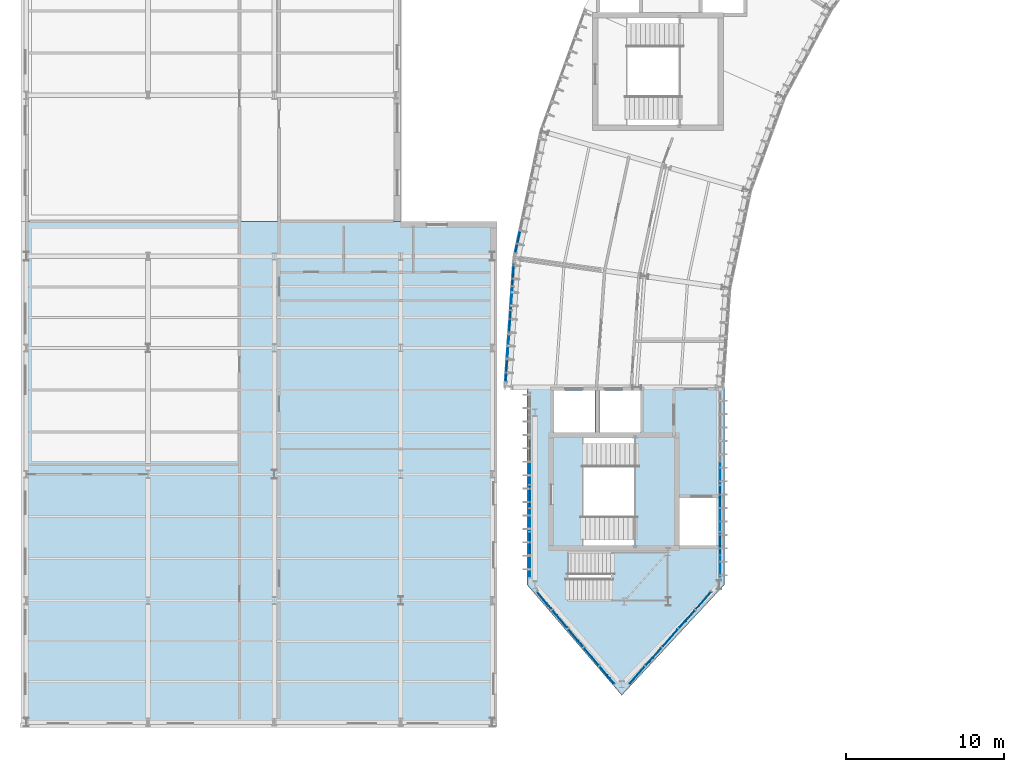
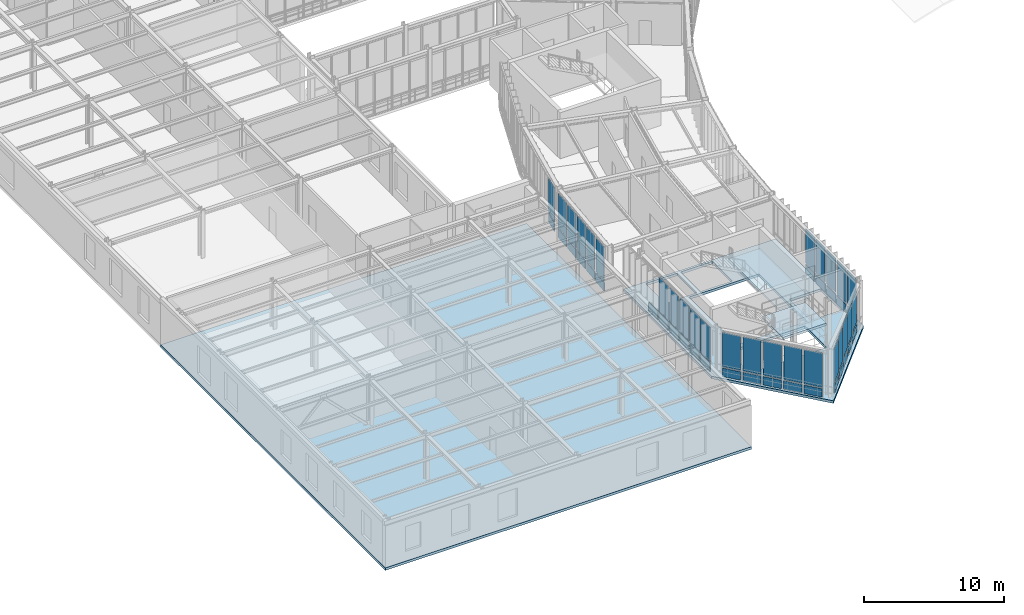
# One storey, part 25 of 57: 53 plates, 4 slabs, 8 elements without a shape of their own.
"""IFC4 building model written with IfcOpenShell, lengths in metres."""

import ifcopenshell
import ifcopenshell.guid

model = None  # the IFC model being written
_history = None  # IfcOwnerHistory: only IFC2X3 demands one
_inside = {}  # id of a spatial element -> (the spatial element, [elements in it])
_under = {}  # id of a project, library or spatial element -> (it, [spatial elements below it])
_declared = {}  # id of a project -> (the project, [libraries it declares])
_typed = {}  # id of a type object -> (the type object, [elements of that type])
_made_of = {}  # id of a material, layer set ... -> (it, [elements and type objects made of it])


def new_model(schema):
    """Start an empty IFC model of exactly this schema.

    Asked for "IFC4X3", IfcOpenShell would pick the latest addendum, in which some entities
    have other attributes; the version numbers below select the first issue.
    IFC2X3 requires an IfcOwnerHistory on every rooted entity: one is made here for all.
    """
    global model, _history
    if schema == "IFC4X3":
        model = ifcopenshell.file(schema_version=(4, 3, 0, 0))
    else:
        model = ifcopenshell.file(schema=schema)
    _inside.clear()
    _under.clear()
    _declared.clear()
    _typed.clear()
    _made_of.clear()
    _history = None
    if model.schema == "IFC2X3":
        org = make("IfcOrganization", Name="unknown")
        user = make(
            "IfcPersonAndOrganization",
            ThePerson=make("IfcPerson", FamilyName="unknown"),
            TheOrganization=org,
        )
        app = make(
            "IfcApplication",
            ApplicationDeveloper=org,
            Version="unknown",
            ApplicationFullName="unknown",
            ApplicationIdentifier="unknown",
        )
        _history = make(
            "IfcOwnerHistory",
            OwningUser=user,
            OwningApplication=app,
            ChangeAction="ADDED",
            CreationDate=0,
        )
    return model


def make(cls, **values):
    """One entity of the class cls with the attributes given. An attribute that is None is left unset."""
    return model.create_entity(
        cls, **{name: value for name, value in values.items() if value is not None}
    )


def rooted(cls, **values):
    """An entity with a GlobalId (a new one), such as an element, a storey or a relation."""
    return make(cls, GlobalId=ifcopenshell.guid.new(), OwnerHistory=_history, **values)


def si_unit(unit_type, name, prefix=None):
    """IfcSIUnit, for example si_unit("LENGTHUNIT", "METRE", prefix="MILLI")."""
    return make("IfcSIUnit", UnitType=unit_type, Prefix=prefix, Name=name)


def assignment(units):
    """IfcUnitAssignment: the units of a project."""
    return None if units is None else make("IfcUnitAssignment", Units=units)


def point(xyz):
    """IfcCartesianPoint."""
    return None if xyz is None else make("IfcCartesianPoint", Coordinates=xyz)


def direction(xyz):
    """IfcDirection."""
    return None if xyz is None else make("IfcDirection", DirectionRatios=xyz)


def frame(location, z_axis=None, x_axis=None):
    """IfcAxis2Placement3D, a coordinate frame: its origin and axes. An axis left out is left unset."""
    return make(
        "IfcAxis2Placement3D",
        Location=point(location),
        Axis=direction(z_axis),
        RefDirection=direction(x_axis),
    )


def frame_2d(location, x_axis=None):
    """IfcAxis2Placement2D, a coordinate frame in the plane: its origin and x axis."""
    return make(
        "IfcAxis2Placement2D", Location=point(location), RefDirection=direction(x_axis)
    )


def origin():
    """The frame at (0, 0, 0) with its axes left unset."""
    return frame((0.0, 0.0, 0.0))


def origin_2d():
    """The frame at (0, 0) in the plane with its x axis left unset."""
    return frame_2d((0.0, 0.0))


def place(relative_to, where):
    """IfcLocalPlacement: puts the frame where relative to a parent placement (None: the world)."""
    return make(
        "IfcLocalPlacement", PlacementRelTo=relative_to, RelativePlacement=where
    )


def context(
    kind, dimensions, precision=None, world=None, true_north=None, identifier=None
):
    """IfcGeometricRepresentationContext, for example the 3D "Model" context."""
    return make(
        "IfcGeometricRepresentationContext",
        ContextIdentifier=identifier,
        ContextType=kind,
        CoordinateSpaceDimension=dimensions,
        Precision=precision,
        WorldCoordinateSystem=world,
        TrueNorth=true_north,
    )


def subcontext(parent, identifier, kind, view, scale=None):
    """IfcGeometricRepresentationSubContext, for example "Body" below "Model"."""
    return make(
        "IfcGeometricRepresentationSubContext",
        ContextIdentifier=identifier,
        ContextType=kind,
        ParentContext=parent,
        TargetScale=scale,
        TargetView=view,
    )


def project(units=None, contexts=None):
    """IfcProject with its units and contexts."""
    return rooted(
        "IfcProject",
        Name="project",
        RepresentationContexts=contexts,
        UnitsInContext=assignment(units),
    )


def spatial(cls, under=None, at=None, **own):
    """A site, building, storey or space (cls), placed at a placement, below another one or the project."""
    s = rooted(cls, ObjectPlacement=at, **own)
    if under is not None:
        _under.setdefault(under.id(), (under, []))[1].append(s)
    return s


def polyline(points):
    """IfcPolyline through the points."""
    return make("IfcPolyline", Points=[point(p) for p in points])


def profile(cls, at=None, kind="AREA", **sizes):
    """A parametric profile (cls). Its sizes go by their IFC names, for example OverallWidth=200.0."""
    return make(cls, ProfileType=kind, Position=at, **sizes)


def rectangle(**sizes):
    """IfcRectangleProfileDef."""
    return profile("IfcRectangleProfileDef", **sizes)


def outline(outer, holes=None, kind="AREA"):
    """IfcArbitraryClosedProfileDef: a profile drawn as a closed curve; with holes, ...WithVoids."""
    if holes is None:
        return make("IfcArbitraryClosedProfileDef", ProfileType=kind, OuterCurve=outer)
    return make(
        "IfcArbitraryProfileDefWithVoids",
        ProfileType=kind,
        OuterCurve=outer,
        InnerCurves=holes,
    )


def extrude(swept, where, along, depth):
    """IfcExtrudedAreaSolid: the profile swept, set in the frame where, extruded along a direction by depth."""
    return make(
        "IfcExtrudedAreaSolid",
        SweptArea=swept,
        Position=where,
        ExtrudedDirection=direction(along),
        Depth=depth,
    )


def shape(context_of_items, identifier, shape_type, items):
    """IfcShapeRepresentation: the items that make up one representation, for example the "Body"."""
    return make(
        "IfcShapeRepresentation",
        ContextOfItems=context_of_items,
        RepresentationIdentifier=identifier,
        RepresentationType=shape_type,
        Items=items,
    )


def material(Name=None, Category=None):
    """IfcMaterial."""
    return make("IfcMaterial", Name=Name, Category=Category)


def layer(
    of_material, thickness, ventilated=None, Name=None, Category=None, Priority=None
):
    """IfcMaterialLayer: one layer of a wall or slab, of a material (None: an air gap)."""
    return make(
        "IfcMaterialLayer",
        Material=of_material,
        LayerThickness=thickness,
        IsVentilated=ventilated,
        Name=Name,
        Category=Category,
        Priority=Priority,
    )


def layer_set(layers, Name=None):
    """IfcMaterialLayerSet."""
    return make("IfcMaterialLayerSet", MaterialLayers=layers, LayerSetName=Name)


def made_of(thing, what):
    """Note that an element or type object is made of a material, layer set ...; save() writes the relation."""
    if what is not None:
        _made_of.setdefault(what.id(), (what, []))[1].append(thing)
    return thing


def type_object(cls, material=None, **own):
    """A type object (cls), such as IfcWallType, which elements share."""
    return made_of(rooted(cls, **own), material)


def element(
    cls,
    number,
    at=None,
    inside=None,
    cuts=None,
    type_object=None,
    material=None,
    context=None,
    identifier="Body",
    shape_type=None,
    held_by="IfcProductDefinitionShape",
    body=None,
    shapes=None,
    **own,
):
    """One element of the class cls, such as IfcWall. Its Tag is "e" and its number.

    at: its placement. inside: the storey or other place that contains it. cuts: it is an
    opening in that element (IfcRelVoidsElement). A single representation is given by context,
    identifier, shape_type and body (its items); several are given by shapes. held_by: the class
    of the entity that holds the representations. save() writes the other relations.
    """
    e = rooted(cls, Tag="e%d" % number, ObjectPlacement=at, **own)
    if body is not None:
        shapes = [shape(context, identifier, shape_type, body)]
    if shapes is not None:
        e.Representation = make(held_by, Representations=shapes)
    if inside is not None:
        _inside.setdefault(inside.id(), (inside, []))[1].append(e)
    if cuts is not None:
        rooted(
            "IfcRelVoidsElement", RelatingBuildingElement=cuts, RelatedOpeningElement=e
        )
    if type_object is not None:
        _typed.setdefault(type_object.id(), (type_object, []))[1].append(e)
    return made_of(e, material)


def aggregate(whole, parts):
    """IfcRelAggregates: a whole, such as a stair, and the parts it consists of."""
    return rooted("IfcRelAggregates", RelatingObject=whole, RelatedObjects=parts)


def save(model, path):
    """Write the relations noted so far, then the file.

    IfcRelAggregates (storeys below a building ...), IfcRelContainedInSpatialStructure (elements
    in a storey), IfcRelDefinesByType, IfcRelAssociatesMaterial and IfcRelDeclares: one each for
    every whole, place, type object, material and project.
    """
    for whole, parts in _under.values():
        aggregate(whole, parts)
    for where, things in _inside.values():
        rooted(
            "IfcRelContainedInSpatialStructure",
            RelatedElements=things,
            RelatingStructure=where,
        )
    for kind, things in _typed.values():
        rooted("IfcRelDefinesByType", RelatedObjects=things, RelatingType=kind)
    for what, things in _made_of.values():
        rooted("IfcRelAssociatesMaterial", RelatedObjects=things, RelatingMaterial=what)
    for by, libraries in _declared.values():
        rooted("IfcRelDeclares", RelatingContext=by, RelatedDefinitions=libraries)
    model.write(path)


model = new_model("IFC4")

# Units and contexts
model_context = context("Model", 3, precision=1e-05, world=origin(), true_north=direction((0.0, 1.0)))
body_context = subcontext(model_context, "Body", "Model", "MODEL_VIEW")
ifc_project = project(units=[si_unit("LENGTHUNIT", "METRE"), si_unit("AREAUNIT", "SQUARE_METRE"), si_unit("VOLUMEUNIT", "CUBIC_METRE"), si_unit("PLANEANGLEUNIT", "RADIAN"), si_unit("MASSUNIT", "GRAM", prefix="KILO"), si_unit("THERMODYNAMICTEMPERATUREUNIT", "KELVIN"), si_unit("POWERUNIT", "WATT")], contexts=[model_context])

# Site, building, storey
site_placement = place(None, origin())
site = spatial("IfcSite", under=ifc_project, at=site_placement, CompositionType="ELEMENT")
building_placement = place(site_placement, origin())
building = spatial("IfcBuilding", under=site, at=building_placement, Name="Solvatero Civic Police Headquarters", CompositionType="ELEMENT")
storey_placement = place(building_placement, frame((0.0, 0.0, 9.300048828125)))
storey = spatial("IfcBuildingStorey", under=building, at=storey_placement, Name="L02", CompositionType="ELEMENT", Elevation=9.300048828125)

# Curtain wall, plates
ifc_material_1 = material(Name="Anodized Bronze Aluminium", Category="aluminium")
ifc_layer_1 = layer(ifc_material_1, 0.179931640625)
ifc_layer_set_1 = layer_set([ifc_layer_1], Name="Anodized Bronze Aluminium")
curtain_wall_type_1 = type_object("IfcCurtainWallType", Name="CW-ARC-OUT", PredefinedType="USERDEFINED", material=ifc_layer_set_1)
curtain_wall_1_placement = place(storey_placement, origin())
curtain_wall_1 = element("IfcCurtainWall", 1, at=curtain_wall_1_placement, inside=storey, type_object=curtain_wall_type_1, Name="Curtain Wall CW-R2-L02-ARC-OUT-B12", ObjectType="UNITISED", PredefinedType="USERDEFINED")
ifc_material_2 = material(Name="Triple Low-E Laminated Glass", Category="glass")
ifc_layer_2 = layer(ifc_material_2, 0.0380859375)
ifc_layer_set_2 = layer_set([ifc_layer_2], Name="Triple Low-E Laminated Glass")
plate_type_1 = type_object("IfcPlateType", Name="CWP-GLZ-38", PredefinedType="CURTAIN_PANEL", material=ifc_layer_set_2)
plate_1_placement = place(storey_placement, frame((35.51416015625, 31.6376953125, 0.91015625), z_axis=(0.0, 0.0, 1.0), x_axis=(-0.069756473744, -0.99756405026, 0.0)))
plate_1 = element("IfcPlate", 2, at=plate_1_placement, type_object=plate_type_1, Name="CW-R2-L02-ARC-OUT-B12 Vision Glazing 2", PredefinedType="CURTAIN_PANEL", context=body_context, shape_type="SweptSolid", body=[
    extrude(rectangle(XDim=1.347412109375, YDim=0.0380859375, at=origin_2d()), origin(), (0.0, 0.0, 1.0), 2.969970703125),
])
plate_2_placement = place(storey_placement, frame((35.301025390625, 28.5908203125, 0.91015625), z_axis=(0.0, 0.0, 1.0), x_axis=(-0.069756473744, -0.99756405026, 0.0)))
plate_2 = element("IfcPlate", 3, at=plate_2_placement, type_object=plate_type_1, Name="CW-R2-L02-ARC-OUT-B12 Vision Glazing 4", PredefinedType="CURTAIN_PANEL", context=body_context, shape_type="SweptSolid", body=[
    extrude(rectangle(XDim=1.347412109375, YDim=0.0380859375, at=origin_2d()), origin(), (0.0, 0.0, 1.0), 2.969970703125),
])

ifc_layer_3 = layer(ifc_material_1, 0.179931640625)
ifc_layer_set_3 = layer_set([ifc_layer_3], Name="Anodized Bronze Aluminium")
curtain_wall_type_2 = type_object("IfcCurtainWallType", Name="CW-PROW-GLZ", PredefinedType="USERDEFINED", material=ifc_layer_set_3)
curtain_wall_2_placement = place(storey_placement, origin())
curtain_wall_2 = element("IfcCurtainWall", 4, at=curtain_wall_2_placement, inside=storey, type_object=curtain_wall_type_2, Name="Curtain Wall CW-R2-L02-PROW-W", ObjectType="UNITISED", PredefinedType="USERDEFINED")
plate_3_placement = place(storey_placement, frame((36.679931640625, 20.564453125, 0.91015625), z_axis=(0.0, 0.0, 1.0), x_axis=(0.0, -1.0, 0.0)))
plate_3 = element("IfcPlate", 5, at=plate_3_placement, type_object=plate_type_1, Name="CW-R2-L02-PROW-W Vision Glazing 4", PredefinedType="CURTAIN_PANEL", context=body_context, shape_type="SweptSolid", body=[
    extrude(rectangle(XDim=1.298828125, YDim=0.0380859375, at=origin_2d()), origin(), (0.0, 0.0, 1.0), 2.969970703125),
])
plate_4_placement = place(storey_placement, frame((36.679931640625, 17.60693359375, 0.91015625), z_axis=(0.0, 0.0, 1.0), x_axis=(0.0, -1.0, 0.0)))
plate_4 = element("IfcPlate", 6, at=plate_4_placement, type_object=plate_type_1, Name="CW-R2-L02-PROW-W Vision Glazing 6", PredefinedType="CURTAIN_PANEL", context=body_context, shape_type="SweptSolid", body=[
    extrude(rectangle(XDim=1.298828125, YDim=0.0380859375, at=origin_2d()), origin(), (0.0, 0.0, 1.0), 2.969970703125),
])
plate_5_placement = place(storey_placement, frame((36.679931640625, 14.6494140625, 0.91015625), z_axis=(0.0, 0.0, 1.0), x_axis=(0.0, -1.0, 0.0)))
plate_5 = element("IfcPlate", 7, at=plate_5_placement, type_object=plate_type_1, Name="CW-R2-L02-PROW-W Vision Glazing 8", PredefinedType="CURTAIN_PANEL", context=body_context, shape_type="SweptSolid", body=[
    extrude(rectangle(XDim=1.298828125, YDim=0.0380859375, at=origin_2d()), origin(), (0.0, 0.0, 1.0), 2.969970703125),
])

curtain_wall_3_placement = place(storey_placement, origin())
curtain_wall_3 = element("IfcCurtainWall", 8, at=curtain_wall_3_placement, inside=storey, type_object=curtain_wall_type_2, Name="Curtain Wall CW-R2-L02-PROW-E", ObjectType="UNITISED", PredefinedType="USERDEFINED")
plate_6_placement = place(storey_placement, frame((48.719970703125, 14.648193359375, 0.91015625), z_axis=(0.0, 0.0, 1.0), x_axis=(0.0, 1.0, 0.0)))
plate_6 = element("IfcPlate", 9, at=plate_6_placement, type_object=plate_type_1, Name="CW-R2-L02-PROW-E Vision Glazing 1", PredefinedType="CURTAIN_PANEL", context=body_context, shape_type="SweptSolid", body=[
    extrude(rectangle(XDim=1.29638671875, YDim=0.0380859375, at=origin_2d()), origin(), (0.0, 0.0, 1.0), 2.969970703125),
])
plate_7_placement = place(storey_placement, frame((48.719970703125, 17.600830078125, 0.91015625), z_axis=(0.0, 0.0, 1.0), x_axis=(0.0, 1.0, 0.0)))
plate_7 = element("IfcPlate", 10, at=plate_7_placement, type_object=plate_type_1, Name="CW-R2-L02-PROW-E Vision Glazing 3", PredefinedType="CURTAIN_PANEL", context=body_context, shape_type="SweptSolid", body=[
    extrude(rectangle(XDim=1.29638671875, YDim=0.0380859375, at=origin_2d()), origin(), (0.0, 0.0, 1.0), 2.969970703125),
])
plate_8_placement = place(storey_placement, frame((48.719970703125, 20.5537109375, 0.91015625), z_axis=(0.0, 0.0, 1.0), x_axis=(0.0, 1.0, 0.0)))
plate_8 = element("IfcPlate", 11, at=plate_8_placement, type_object=plate_type_1, Name="CW-R2-L02-PROW-E Vision Glazing 5", PredefinedType="CURTAIN_PANEL", context=body_context, shape_type="SweptSolid", body=[
    extrude(rectangle(XDim=1.29638671875, YDim=0.0380859375, at=origin_2d()), origin(), (0.0, 0.0, 1.0), 2.969970703125),
])

curtain_wall_4_placement = place(storey_placement, origin())
curtain_wall_4 = element("IfcCurtainWall", 12, at=curtain_wall_4_placement, inside=storey, type_object=curtain_wall_type_2, Name="Curtain Wall CW-R2-L02-PROW-SW", ObjectType="UNITISED", PredefinedType="USERDEFINED")
plate_9_placement = place(storey_placement, frame((38.58349609375, 11.324951171875, 0.91015625), z_axis=(0.0, 0.0, 1.0), x_axis=(0.643282165541, -0.765629189293, 0.0)))
plate_9 = element("IfcPlate", 13, at=plate_9_placement, type_object=plate_type_1, Name="CW-R2-L02-PROW-SW Vision Glazing 2", PredefinedType="CURTAIN_PANEL", context=body_context, shape_type="SweptSolid", body=[
    extrude(rectangle(XDim=1.369140625, YDim=0.0380859375, at=origin_2d()), origin(), (0.0, 0.0, 1.0), 2.969970703125),
])
plate_10_placement = place(storey_placement, frame((40.576416015625, 8.952880859375, 0.91015625), z_axis=(0.0, 0.0, 1.0), x_axis=(0.643282165541, -0.765629189293, 0.0)))
plate_10 = element("IfcPlate", 14, at=plate_10_placement, type_object=plate_type_1, Name="CW-R2-L02-PROW-SW Vision Glazing 4", PredefinedType="CURTAIN_PANEL", context=body_context, shape_type="SweptSolid", body=[
    extrude(rectangle(XDim=1.369140625, YDim=0.0380859375, at=origin_2d()), origin(), (0.0, 0.0, 1.0), 2.969970703125),
])

curtain_wall_5_placement = place(storey_placement, origin())
curtain_wall_5 = element("IfcCurtainWall", 15, at=curtain_wall_5_placement, inside=storey, type_object=curtain_wall_type_2, Name="Curtain Wall CW-R2-L02-PROW-SE", ObjectType="UNITISED", PredefinedType="USERDEFINED")
plate_11_placement = place(storey_placement, frame((43.45361328125, 7.758544921875, 0.91015625), z_axis=(0.0, 0.0, 1.0), x_axis=(0.664669821698, 0.74713722175, 0.0)))
plate_11 = element("IfcPlate", 16, at=plate_11_placement, type_object=plate_type_1, Name="CW-R2-L02-PROW-SE Vision Glazing 1", PredefinedType="CURTAIN_PANEL", context=body_context, shape_type="SweptSolid", body=[
    extrude(rectangle(XDim=1.410400390625, YDim=0.0380859375, at=origin_2d()), origin(), (0.0, 0.0, 1.0), 2.969970703125),
])
plate_12_placement = place(storey_placement, frame((45.567626953125, 10.134765625, 0.91015625), z_axis=(0.0, 0.0, 1.0), x_axis=(0.664669821698, 0.74713722175, 0.0)))
plate_12 = element("IfcPlate", 17, at=plate_12_placement, type_object=plate_type_1, Name="CW-R2-L02-PROW-SE Vision Glazing 3", PredefinedType="CURTAIN_PANEL", context=body_context, shape_type="SweptSolid", body=[
    extrude(rectangle(XDim=1.410400390625, YDim=0.0380859375, at=origin_2d()), origin(), (0.0, 0.0, 1.0), 2.969970703125),
])
plate_13_placement = place(storey_placement, frame((47.681640625, 12.510986328125, 0.91015625), z_axis=(0.0, 0.0, 1.0), x_axis=(0.664669821698, 0.74713722175, 0.0)))
plate_13 = element("IfcPlate", 18, at=plate_13_placement, type_object=plate_type_1, Name="CW-R2-L02-PROW-SE Vision Glazing 5", PredefinedType="CURTAIN_PANEL", context=body_context, shape_type="SweptSolid", body=[
    extrude(rectangle(XDim=1.410400390625, YDim=0.0380859375, at=origin_2d()), origin(), (0.0, 0.0, 1.0), 2.969970703125),
])

# Curtain wall, plate
curtain_wall_6_placement = place(storey_placement, origin())
curtain_wall_6 = element("IfcCurtainWall", 19, at=curtain_wall_6_placement, inside=storey, type_object=curtain_wall_type_1, Name="Curtain Wall CW-R2-L02-ARC-OUT-B11", ObjectType="UNITISED", PredefinedType="USERDEFINED")
ifc_material_3 = material(Name="Acoustic Ballistic Laminated Glass", Category="glass")
ifc_layer_4 = layer(ifc_material_3, 0.0439453125)
ifc_layer_set_4 = layer_set([ifc_layer_4], Name="Acoustic Ballistic Laminated Glass")
plate_type_2 = type_object("IfcPlateType", Name="CWP-GLZ-44", PredefinedType="CURTAIN_PANEL", material=ifc_layer_set_4)
plate_14_placement = place(storey_placement, frame((35.90869140625, 35.208740234375, 0.91015625), z_axis=(0.0, 0.0, 1.0), x_axis=(-0.207911690818, -0.978147600734, 0.0)))
plate_14 = element("IfcPlate", 20, at=plate_14_placement, type_object=plate_type_2, Name="CW-R2-L02-ARC-OUT-B11 Vision Glazing 5", PredefinedType="CURTAIN_PANEL", context=body_context, shape_type="SweptSolid", body=[
    extrude(rectangle(XDim=1.349609375, YDim=0.0439453125, at=origin_2d()), origin(), (0.0, 0.0, 1.0), 2.969970703125),
])

# Plate
plate_15_placement = place(storey_placement, frame((35.62060546875, 33.161376953125, 0.91015625), z_axis=(0.0, 0.0, 1.0), x_axis=(-0.069756473744, -0.99756405026, 0.0)))
plate_15 = element("IfcPlate", 21, at=plate_15_placement, type_object=plate_type_2, Name="CW-R2-L02-ARC-OUT-B12 Vision Glazing 1", PredefinedType="CURTAIN_PANEL", context=body_context, shape_type="SweptSolid", body=[
    extrude(rectangle(XDim=1.347412109375, YDim=0.0439453125, at=origin_2d()), origin(), (0.0, 0.0, 1.0), 2.969970703125),
])

plate_16_placement = place(storey_placement, frame((35.40771484375, 30.1142578125, 0.91015625), z_axis=(0.0, 0.0, 1.0), x_axis=(-0.069756473744, -0.99756405026, 0.0)))
plate_16 = element("IfcPlate", 22, at=plate_16_placement, type_object=plate_type_2, Name="CW-R2-L02-ARC-OUT-B12 Vision Glazing 3", PredefinedType="CURTAIN_PANEL", context=body_context, shape_type="SweptSolid", body=[
    extrude(rectangle(XDim=1.347412109375, YDim=0.0439453125, at=origin_2d()), origin(), (0.0, 0.0, 1.0), 2.969970703125),
])

plate_17_placement = place(storey_placement, frame((35.194580078125, 27.067138671875, 0.91015625), z_axis=(0.0, 0.0, 1.0), x_axis=(-0.069756473744, -0.99756405026, 0.0)))
plate_17 = element("IfcPlate", 23, at=plate_17_placement, type_object=plate_type_2, Name="CW-R2-L02-ARC-OUT-B12 Vision Glazing 5", PredefinedType="CURTAIN_PANEL", context=body_context, shape_type="SweptSolid", body=[
    extrude(rectangle(XDim=1.347412109375, YDim=0.0439453125, at=origin_2d()), origin(), (0.0, 0.0, 1.0), 2.969970703125),
])

plate_18_placement = place(storey_placement, frame((36.679931640625, 19.085693359375, 0.91015625), z_axis=(0.0, 0.0, 1.0), x_axis=(0.0, -1.0, 0.0)))
plate_18 = element("IfcPlate", 24, at=plate_18_placement, type_object=plate_type_2, Name="CW-R2-L02-PROW-W Vision Glazing 5", PredefinedType="CURTAIN_PANEL", context=body_context, shape_type="SweptSolid", body=[
    extrude(rectangle(XDim=1.298828125, YDim=0.0439453125, at=origin_2d()), origin(), (0.0, 0.0, 1.0), 2.969970703125),
])

plate_19_placement = place(storey_placement, frame((36.679931640625, 16.128173828125, 0.91015625), z_axis=(0.0, 0.0, 1.0), x_axis=(0.0, -1.0, 0.0)))
plate_19 = element("IfcPlate", 25, at=plate_19_placement, type_object=plate_type_2, Name="CW-R2-L02-PROW-W Vision Glazing 7", PredefinedType="CURTAIN_PANEL", context=body_context, shape_type="SweptSolid", body=[
    extrude(rectangle(XDim=1.298828125, YDim=0.0439453125, at=origin_2d()), origin(), (0.0, 0.0, 1.0), 2.969970703125),
])

plate_20_placement = place(storey_placement, frame((48.719970703125, 16.12451171875, 0.91015625), z_axis=(0.0, 0.0, 1.0), x_axis=(0.0, 1.0, 0.0)))
plate_20 = element("IfcPlate", 26, at=plate_20_placement, type_object=plate_type_2, Name="CW-R2-L02-PROW-E Vision Glazing 2", PredefinedType="CURTAIN_PANEL", context=body_context, shape_type="SweptSolid", body=[
    extrude(rectangle(XDim=1.29638671875, YDim=0.0439453125, at=origin_2d()), origin(), (0.0, 0.0, 1.0), 2.969970703125),
])

plate_21_placement = place(storey_placement, frame((48.719970703125, 19.077392578125, 0.91015625), z_axis=(0.0, 0.0, 1.0), x_axis=(0.0, 1.0, 0.0)))
plate_21 = element("IfcPlate", 27, at=plate_21_placement, type_object=plate_type_2, Name="CW-R2-L02-PROW-E Vision Glazing 4", PredefinedType="CURTAIN_PANEL", context=body_context, shape_type="SweptSolid", body=[
    extrude(rectangle(XDim=1.29638671875, YDim=0.0439453125, at=origin_2d()), origin(), (0.0, 0.0, 1.0), 2.969970703125),
])

plate_22_placement = place(storey_placement, frame((37.5869140625, 12.510986328125, 0.91015625), z_axis=(0.0, 0.0, 1.0), x_axis=(0.643282165541, -0.765629189293, 0.0)))
plate_22 = element("IfcPlate", 28, at=plate_22_placement, type_object=plate_type_2, Name="CW-R2-L02-PROW-SW Vision Glazing 1", PredefinedType="CURTAIN_PANEL", context=body_context, shape_type="SweptSolid", body=[
    extrude(rectangle(XDim=1.369140625, YDim=0.0439453125, at=origin_2d()), origin(), (0.0, 0.0, 1.0), 2.969970703125),
])

plate_23_placement = place(storey_placement, frame((39.579833984375, 10.138916015625, 0.91015625), z_axis=(0.0, 0.0, 1.0), x_axis=(0.643282165541, -0.765629189293, 0.0)))
plate_23 = element("IfcPlate", 29, at=plate_23_placement, type_object=plate_type_2, Name="CW-R2-L02-PROW-SW Vision Glazing 3", PredefinedType="CURTAIN_PANEL", context=body_context, shape_type="SweptSolid", body=[
    extrude(rectangle(XDim=1.369140625, YDim=0.0439453125, at=origin_2d()), origin(), (0.0, 0.0, 1.0), 2.969970703125),
])

plate_24_placement = place(storey_placement, frame((41.572998046875, 7.766845703125, 0.91015625), z_axis=(0.0, 0.0, 1.0), x_axis=(0.643282165541, -0.765629189293, 0.0)))
plate_24 = element("IfcPlate", 30, at=plate_24_placement, type_object=plate_type_2, Name="CW-R2-L02-PROW-SW Vision Glazing 5", PredefinedType="CURTAIN_PANEL", context=body_context, shape_type="SweptSolid", body=[
    extrude(rectangle(XDim=1.369140625, YDim=0.0439453125, at=origin_2d()), origin(), (0.0, 0.0, 1.0), 2.969970703125),
])

plate_25_placement = place(storey_placement, frame((44.510498046875, 8.946533203125, 0.91015625), z_axis=(0.0, 0.0, 1.0), x_axis=(0.664669821698, 0.74713722175, 0.0)))
plate_25 = element("IfcPlate", 31, at=plate_25_placement, type_object=plate_type_2, Name="CW-R2-L02-PROW-SE Vision Glazing 2", PredefinedType="CURTAIN_PANEL", context=body_context, shape_type="SweptSolid", body=[
    extrude(rectangle(XDim=1.410400390625, YDim=0.0439453125, at=origin_2d()), origin(), (0.0, 0.0, 1.0), 2.969970703125),
])

plate_26_placement = place(storey_placement, frame((46.62451171875, 11.322998046875, 0.91015625), z_axis=(0.0, 0.0, 1.0), x_axis=(0.664669821698, 0.74713722175, 0.0)))
plate_26 = element("IfcPlate", 32, at=plate_26_placement, type_object=plate_type_2, Name="CW-R2-L02-PROW-SE Vision Glazing 4", PredefinedType="CURTAIN_PANEL", context=body_context, shape_type="SweptSolid", body=[
    extrude(rectangle(XDim=1.410400390625, YDim=0.0439453125, at=origin_2d()), origin(), (0.0, 0.0, 1.0), 2.969970703125),
])

ifc_material_4 = material(Name="Insulated Bronze Aluminium Spandrel", Category="aluminium")
ifc_layer_5 = layer(ifc_material_4, 0.06005859375)
ifc_layer_set_5 = layer_set([ifc_layer_5], Name="Insulated Bronze Aluminium Spandrel")
plate_type_3 = type_object("IfcPlateType", Name="CWP-SPN-60", PredefinedType="CURTAIN_PANEL", material=ifc_layer_set_5)
plate_27_placement = place(storey_placement, frame((35.51416015625, 31.6376953125, 0.06005859375), z_axis=(0.0, 0.0, 1.0), x_axis=(-0.069756473744, -0.99756405026, 0.0)))
plate_27 = element("IfcPlate", 33, at=plate_27_placement, type_object=plate_type_3, Name="CW-R2-L02-ARC-OUT-B12 Spandrel Panel 2", PredefinedType="CURTAIN_PANEL", context=body_context, shape_type="SweptSolid", body=[
    extrude(rectangle(XDim=1.347412109375, YDim=0.06005859375, at=origin_2d()), origin(), (0.0, 0.0, 1.0), 0.72998046875),
])

plate_28_placement = place(storey_placement, frame((35.301025390625, 28.5908203125, 0.06005859375), z_axis=(0.0, 0.0, 1.0), x_axis=(-0.069756473744, -0.99756405026, 0.0)))
plate_28 = element("IfcPlate", 34, at=plate_28_placement, type_object=plate_type_3, Name="CW-R2-L02-ARC-OUT-B12 Spandrel Panel 4", PredefinedType="CURTAIN_PANEL", context=body_context, shape_type="SweptSolid", body=[
    extrude(rectangle(XDim=1.347412109375, YDim=0.06005859375, at=origin_2d()), origin(), (0.0, 0.0, 1.0), 0.72998046875),
])

plate_29_placement = place(storey_placement, frame((36.679931640625, 20.564453125, 0.06005859375), z_axis=(0.0, 0.0, 1.0), x_axis=(0.0, -1.0, 0.0)))
plate_29 = element("IfcPlate", 35, at=plate_29_placement, type_object=plate_type_3, Name="CW-R2-L02-PROW-W Spandrel Panel 4", PredefinedType="CURTAIN_PANEL", context=body_context, shape_type="SweptSolid", body=[
    extrude(rectangle(XDim=1.298828125, YDim=0.06005859375, at=origin_2d()), origin(), (0.0, 0.0, 1.0), 0.72998046875),
])

plate_30_placement = place(storey_placement, frame((36.679931640625, 17.60693359375, 0.06005859375), z_axis=(0.0, 0.0, 1.0), x_axis=(0.0, -1.0, 0.0)))
plate_30 = element("IfcPlate", 36, at=plate_30_placement, type_object=plate_type_3, Name="CW-R2-L02-PROW-W Spandrel Panel 6", PredefinedType="CURTAIN_PANEL", context=body_context, shape_type="SweptSolid", body=[
    extrude(rectangle(XDim=1.298828125, YDim=0.06005859375, at=origin_2d()), origin(), (0.0, 0.0, 1.0), 0.72998046875),
])

plate_31_placement = place(storey_placement, frame((36.679931640625, 14.6494140625, 0.06005859375), z_axis=(0.0, 0.0, 1.0), x_axis=(0.0, -1.0, 0.0)))
plate_31 = element("IfcPlate", 37, at=plate_31_placement, type_object=plate_type_3, Name="CW-R2-L02-PROW-W Spandrel Panel 8", PredefinedType="CURTAIN_PANEL", context=body_context, shape_type="SweptSolid", body=[
    extrude(rectangle(XDim=1.298828125, YDim=0.06005859375, at=origin_2d()), origin(), (0.0, 0.0, 1.0), 0.72998046875),
])

plate_32_placement = place(storey_placement, frame((48.719970703125, 14.648193359375, 0.06005859375), z_axis=(0.0, 0.0, 1.0), x_axis=(0.0, 1.0, 0.0)))
plate_32 = element("IfcPlate", 38, at=plate_32_placement, type_object=plate_type_3, Name="CW-R2-L02-PROW-E Spandrel Panel 1", PredefinedType="CURTAIN_PANEL", context=body_context, shape_type="SweptSolid", body=[
    extrude(rectangle(XDim=1.29638671875, YDim=0.06005859375, at=origin_2d()), origin(), (0.0, 0.0, 1.0), 0.72998046875),
])

plate_33_placement = place(storey_placement, frame((48.719970703125, 17.600830078125, 0.06005859375), z_axis=(0.0, 0.0, 1.0), x_axis=(0.0, 1.0, 0.0)))
plate_33 = element("IfcPlate", 39, at=plate_33_placement, type_object=plate_type_3, Name="CW-R2-L02-PROW-E Spandrel Panel 3", PredefinedType="CURTAIN_PANEL", context=body_context, shape_type="SweptSolid", body=[
    extrude(rectangle(XDim=1.29638671875, YDim=0.06005859375, at=origin_2d()), origin(), (0.0, 0.0, 1.0), 0.72998046875),
])

plate_34_placement = place(storey_placement, frame((48.719970703125, 20.5537109375, 0.06005859375), z_axis=(0.0, 0.0, 1.0), x_axis=(0.0, 1.0, 0.0)))
plate_34 = element("IfcPlate", 40, at=plate_34_placement, type_object=plate_type_3, Name="CW-R2-L02-PROW-E Spandrel Panel 5", PredefinedType="CURTAIN_PANEL", context=body_context, shape_type="SweptSolid", body=[
    extrude(rectangle(XDim=1.29638671875, YDim=0.06005859375, at=origin_2d()), origin(), (0.0, 0.0, 1.0), 0.72998046875),
])

plate_35_placement = place(storey_placement, frame((38.58349609375, 11.324951171875, 0.06005859375), z_axis=(0.0, 0.0, 1.0), x_axis=(0.643282165541, -0.765629189293, 0.0)))
plate_35 = element("IfcPlate", 41, at=plate_35_placement, type_object=plate_type_3, Name="CW-R2-L02-PROW-SW Spandrel Panel 2", PredefinedType="CURTAIN_PANEL", context=body_context, shape_type="SweptSolid", body=[
    extrude(rectangle(XDim=1.369140625, YDim=0.06005859375, at=origin_2d()), origin(), (0.0, 0.0, 1.0), 0.72998046875),
])

plate_36_placement = place(storey_placement, frame((40.576416015625, 8.952880859375, 0.06005859375), z_axis=(0.0, 0.0, 1.0), x_axis=(0.643282165541, -0.765629189293, 0.0)))
plate_36 = element("IfcPlate", 42, at=plate_36_placement, type_object=plate_type_3, Name="CW-R2-L02-PROW-SW Spandrel Panel 4", PredefinedType="CURTAIN_PANEL", context=body_context, shape_type="SweptSolid", body=[
    extrude(rectangle(XDim=1.369140625, YDim=0.06005859375, at=origin_2d()), origin(), (0.0, 0.0, 1.0), 0.72998046875),
])

plate_37_placement = place(storey_placement, frame((43.45361328125, 7.758544921875, 0.06005859375), z_axis=(0.0, 0.0, 1.0), x_axis=(0.664669821698, 0.74713722175, 0.0)))
plate_37 = element("IfcPlate", 43, at=plate_37_placement, type_object=plate_type_3, Name="CW-R2-L02-PROW-SE Spandrel Panel 1", PredefinedType="CURTAIN_PANEL", context=body_context, shape_type="SweptSolid", body=[
    extrude(rectangle(XDim=1.410400390625, YDim=0.06005859375, at=origin_2d()), origin(), (0.0, 0.0, 1.0), 0.72998046875),
])

plate_38_placement = place(storey_placement, frame((45.567626953125, 10.134765625, 0.06005859375), z_axis=(0.0, 0.0, 1.0), x_axis=(0.664669821698, 0.74713722175, 0.0)))
plate_38 = element("IfcPlate", 44, at=plate_38_placement, type_object=plate_type_3, Name="CW-R2-L02-PROW-SE Spandrel Panel 3", PredefinedType="CURTAIN_PANEL", context=body_context, shape_type="SweptSolid", body=[
    extrude(rectangle(XDim=1.410400390625, YDim=0.06005859375, at=origin_2d()), origin(), (0.0, 0.0, 1.0), 0.72998046875),
])

plate_39_placement = place(storey_placement, frame((47.681640625, 12.510986328125, 0.06005859375), z_axis=(0.0, 0.0, 1.0), x_axis=(0.664669821698, 0.74713722175, 0.0)))
plate_39 = element("IfcPlate", 45, at=plate_39_placement, type_object=plate_type_3, Name="CW-R2-L02-PROW-SE Spandrel Panel 5", PredefinedType="CURTAIN_PANEL", context=body_context, shape_type="SweptSolid", body=[
    extrude(rectangle(XDim=1.410400390625, YDim=0.06005859375, at=origin_2d()), origin(), (0.0, 0.0, 1.0), 0.72998046875),
])

ifc_material_5 = material(Name="Limestone Veneer Spandrel Panel", Category="masonry")
ifc_layer_6 = layer(ifc_material_5, 0.074951171875)
ifc_layer_set_6 = layer_set([ifc_layer_6], Name="Limestone Veneer Spandrel Panel")
plate_type_4 = type_object("IfcPlateType", Name="CWP-SPN-75", PredefinedType="CURTAIN_PANEL", material=ifc_layer_set_6)
plate_40_placement = place(storey_placement, frame((35.90869140625, 35.208740234375, 0.06005859375), z_axis=(0.0, 0.0, 1.0), x_axis=(-0.207911690818, -0.978147600734, 0.0)))
plate_40 = element("IfcPlate", 46, at=plate_40_placement, type_object=plate_type_4, Name="CW-R2-L02-ARC-OUT-B11 Spandrel Panel 5", PredefinedType="CURTAIN_PANEL", context=body_context, shape_type="SweptSolid", body=[
    extrude(rectangle(XDim=1.349609375, YDim=0.074951171875, at=origin_2d()), origin(), (0.0, 0.0, 1.0), 0.72998046875),
])

aggregate(curtain_wall_6, [plate_40, plate_14])

plate_41_placement = place(storey_placement, frame((35.62060546875, 33.161376953125, 0.06005859375), z_axis=(0.0, 0.0, 1.0), x_axis=(-0.069756473744, -0.99756405026, 0.0)))
plate_41 = element("IfcPlate", 47, at=plate_41_placement, type_object=plate_type_4, Name="CW-R2-L02-ARC-OUT-B12 Spandrel Panel 1", PredefinedType="CURTAIN_PANEL", context=body_context, shape_type="SweptSolid", body=[
    extrude(rectangle(XDim=1.347412109375, YDim=0.074951171875, at=origin_2d()), origin(), (0.0, 0.0, 1.0), 0.72998046875),
])

plate_42_placement = place(storey_placement, frame((35.40771484375, 30.1142578125, 0.06005859375), z_axis=(0.0, 0.0, 1.0), x_axis=(-0.069756473744, -0.99756405026, 0.0)))
plate_42 = element("IfcPlate", 48, at=plate_42_placement, type_object=plate_type_4, Name="CW-R2-L02-ARC-OUT-B12 Spandrel Panel 3", PredefinedType="CURTAIN_PANEL", context=body_context, shape_type="SweptSolid", body=[
    extrude(rectangle(XDim=1.347412109375, YDim=0.074951171875, at=origin_2d()), origin(), (0.0, 0.0, 1.0), 0.72998046875),
])

plate_43_placement = place(storey_placement, frame((35.194580078125, 27.067138671875, 0.06005859375), z_axis=(0.0, 0.0, 1.0), x_axis=(-0.069756473744, -0.99756405026, 0.0)))
plate_43 = element("IfcPlate", 49, at=plate_43_placement, type_object=plate_type_4, Name="CW-R2-L02-ARC-OUT-B12 Spandrel Panel 5", PredefinedType="CURTAIN_PANEL", context=body_context, shape_type="SweptSolid", body=[
    extrude(rectangle(XDim=1.347412109375, YDim=0.074951171875, at=origin_2d()), origin(), (0.0, 0.0, 1.0), 0.72998046875),
])

aggregate(curtain_wall_1, [plate_41, plate_15, plate_27, plate_1, plate_42, plate_16, plate_28, plate_2, plate_43, plate_17])

plate_44_placement = place(storey_placement, frame((36.679931640625, 22.043212890625, 0.06005859375), z_axis=(0.0, 0.0, 1.0), x_axis=(0.0, -1.0, 0.0)))
plate_44 = element("IfcPlate", 50, at=plate_44_placement, type_object=plate_type_4, Name="CW-R2-L02-PROW-W Spandrel Panel 3", PredefinedType="CURTAIN_PANEL", context=body_context, shape_type="SweptSolid", body=[
    extrude(rectangle(XDim=1.298828125, YDim=0.074951171875, at=origin_2d()), origin(), (0.0, 0.0, 1.0), 0.72998046875),
])

plate_45_placement = place(storey_placement, frame((36.679931640625, 19.085693359375, 0.06005859375), z_axis=(0.0, 0.0, 1.0), x_axis=(0.0, -1.0, 0.0)))
plate_45 = element("IfcPlate", 51, at=plate_45_placement, type_object=plate_type_4, Name="CW-R2-L02-PROW-W Spandrel Panel 5", PredefinedType="CURTAIN_PANEL", context=body_context, shape_type="SweptSolid", body=[
    extrude(rectangle(XDim=1.298828125, YDim=0.074951171875, at=origin_2d()), origin(), (0.0, 0.0, 1.0), 0.72998046875),
])

plate_46_placement = place(storey_placement, frame((36.679931640625, 16.128173828125, 0.06005859375), z_axis=(0.0, 0.0, 1.0), x_axis=(0.0, -1.0, 0.0)))
plate_46 = element("IfcPlate", 52, at=plate_46_placement, type_object=plate_type_4, Name="CW-R2-L02-PROW-W Spandrel Panel 7", PredefinedType="CURTAIN_PANEL", context=body_context, shape_type="SweptSolid", body=[
    extrude(rectangle(XDim=1.298828125, YDim=0.074951171875, at=origin_2d()), origin(), (0.0, 0.0, 1.0), 0.72998046875),
])

aggregate(curtain_wall_2, [plate_44, plate_29, plate_3, plate_45, plate_18, plate_30, plate_4, plate_46, plate_19, plate_31, plate_5])

plate_47_placement = place(storey_placement, frame((48.719970703125, 16.12451171875, 0.06005859375), z_axis=(0.0, 0.0, 1.0), x_axis=(0.0, 1.0, 0.0)))
plate_47 = element("IfcPlate", 53, at=plate_47_placement, type_object=plate_type_4, Name="CW-R2-L02-PROW-E Spandrel Panel 2", PredefinedType="CURTAIN_PANEL", context=body_context, shape_type="SweptSolid", body=[
    extrude(rectangle(XDim=1.29638671875, YDim=0.074951171875, at=origin_2d()), origin(), (0.0, 0.0, 1.0), 0.72998046875),
])

plate_48_placement = place(storey_placement, frame((48.719970703125, 19.077392578125, 0.06005859375), z_axis=(0.0, 0.0, 1.0), x_axis=(0.0, 1.0, 0.0)))
plate_48 = element("IfcPlate", 54, at=plate_48_placement, type_object=plate_type_4, Name="CW-R2-L02-PROW-E Spandrel Panel 4", PredefinedType="CURTAIN_PANEL", context=body_context, shape_type="SweptSolid", body=[
    extrude(rectangle(XDim=1.29638671875, YDim=0.074951171875, at=origin_2d()), origin(), (0.0, 0.0, 1.0), 0.72998046875),
])

aggregate(curtain_wall_3, [plate_32, plate_6, plate_47, plate_20, plate_33, plate_7, plate_48, plate_21, plate_34, plate_8])

plate_49_placement = place(storey_placement, frame((37.5869140625, 12.510986328125, 0.06005859375), z_axis=(0.0, 0.0, 1.0), x_axis=(0.643282165541, -0.765629189293, 0.0)))
plate_49 = element("IfcPlate", 55, at=plate_49_placement, type_object=plate_type_4, Name="CW-R2-L02-PROW-SW Spandrel Panel 1", PredefinedType="CURTAIN_PANEL", context=body_context, shape_type="SweptSolid", body=[
    extrude(rectangle(XDim=1.369140625, YDim=0.074951171875, at=origin_2d()), origin(), (0.0, 0.0, 1.0), 0.72998046875),
])

plate_50_placement = place(storey_placement, frame((39.579833984375, 10.138916015625, 0.06005859375), z_axis=(0.0, 0.0, 1.0), x_axis=(0.643282165541, -0.765629189293, 0.0)))
plate_50 = element("IfcPlate", 56, at=plate_50_placement, type_object=plate_type_4, Name="CW-R2-L02-PROW-SW Spandrel Panel 3", PredefinedType="CURTAIN_PANEL", context=body_context, shape_type="SweptSolid", body=[
    extrude(rectangle(XDim=1.369140625, YDim=0.074951171875, at=origin_2d()), origin(), (0.0, 0.0, 1.0), 0.72998046875),
])

plate_51_placement = place(storey_placement, frame((41.572998046875, 7.766845703125, 0.06005859375), z_axis=(0.0, 0.0, 1.0), x_axis=(0.643282165541, -0.765629189293, 0.0)))
plate_51 = element("IfcPlate", 57, at=plate_51_placement, type_object=plate_type_4, Name="CW-R2-L02-PROW-SW Spandrel Panel 5", PredefinedType="CURTAIN_PANEL", context=body_context, shape_type="SweptSolid", body=[
    extrude(rectangle(XDim=1.369140625, YDim=0.074951171875, at=origin_2d()), origin(), (0.0, 0.0, 1.0), 0.72998046875),
])

aggregate(curtain_wall_4, [plate_49, plate_22, plate_35, plate_9, plate_50, plate_23, plate_36, plate_10, plate_51, plate_24])

plate_52_placement = place(storey_placement, frame((44.510498046875, 8.946533203125, 0.06005859375), z_axis=(0.0, 0.0, 1.0), x_axis=(0.664669821698, 0.74713722175, 0.0)))
plate_52 = element("IfcPlate", 58, at=plate_52_placement, type_object=plate_type_4, Name="CW-R2-L02-PROW-SE Spandrel Panel 2", PredefinedType="CURTAIN_PANEL", context=body_context, shape_type="SweptSolid", body=[
    extrude(rectangle(XDim=1.410400390625, YDim=0.074951171875, at=origin_2d()), origin(), (0.0, 0.0, 1.0), 0.72998046875),
])

plate_53_placement = place(storey_placement, frame((46.62451171875, 11.322998046875, 0.06005859375), z_axis=(0.0, 0.0, 1.0), x_axis=(0.664669821698, 0.74713722175, 0.0)))
plate_53 = element("IfcPlate", 59, at=plate_53_placement, type_object=plate_type_4, Name="CW-R2-L02-PROW-SE Spandrel Panel 4", PredefinedType="CURTAIN_PANEL", context=body_context, shape_type="SweptSolid", body=[
    extrude(rectangle(XDim=1.410400390625, YDim=0.074951171875, at=origin_2d()), origin(), (0.0, 0.0, 1.0), 0.72998046875),
])

aggregate(curtain_wall_5, [plate_37, plate_11, plate_52, plate_25, plate_38, plate_12, plate_53, plate_26, plate_39, plate_13])

# Slabs
ifc_material_6 = material(Name="Concrete C35/45", Category="concrete")
ifc_layer_7 = layer(ifc_material_6, 0.199951171875)
ifc_layer_set_7 = layer_set([ifc_layer_7], Name="Concrete C35/45")
slab_type_1 = type_object("IfcSlabType", Name="SLB-COMP-200", PredefinedType="FLOOR", material=ifc_layer_set_7)
slab_1_placement = place(storey_placement, frame((0.0, 0.0, -0.219970703125)))
element("IfcSlab", 60, at=slab_1_placement, inside=storey, type_object=slab_type_1, Name="L02 South-West Prow Floor Slab", PredefinedType="FLOOR", context=body_context, shape_type="SweptSolid", body=[
    extrude(outline(polyline([(49.0, 13.5), (42.5, 6.5), (36.5, 13.5), (36.5, 26.0), (49.0, 26.0), (49.0, 13.5)]), holes=[polyline([(39.10009765625, 12.5), (45.39990234375, 12.5), (45.39990234375, 15.550048828125), (39.10009765625, 15.550048828125), (39.10009765625, 12.5)]), polyline([(46.10009765625, 16.0), (48.699951171875, 16.0), (48.699951171875, 19.0), (46.10009765625, 19.0), (46.10009765625, 16.0)]), polyline([(40.06005859375, 16.0), (45.800048828125, 16.0), (45.800048828125, 22.800048828125), (40.06005859375, 22.800048828125), (40.06005859375, 16.0)]), polyline([(38.199951171875, 25.800048828125), (38.199951171875, 23.0), (40.800048828125, 23.0), (40.800048828125, 25.800048828125), (38.199951171875, 25.800048828125)]), polyline([(41.10009765625, 25.800048828125), (41.10009765625, 23.0), (43.699951171875, 23.0), (43.699951171875, 25.800048828125), (41.10009765625, 25.800048828125)])]), origin(), (0.0, 0.0, 1.0), 0.219970703125),
])
ifc_layer_8 = layer(ifc_material_6, 0.219970703125)
ifc_layer_set_8 = layer_set([ifc_layer_8], Name="Concrete C35/45")
slab_type_2 = type_object("IfcSlabType", Name="SLB-COMP-220", PredefinedType="FLOOR", material=ifc_layer_set_8)
slab_2_placement = place(storey_placement, frame((0.0, 0.0, -0.219970703125)))
element("IfcSlab", 61, at=slab_2_placement, inside=storey, type_object=slab_type_2, Name="L02 Suspended floor slab SLB-L02-V4", PredefinedType="FLOOR", context=body_context, shape_type="SweptSolid", body=[
    extrude(outline(polyline([(4.5, 36.5), (34.60009765625, 36.5), (34.60009765625, 4.5), (4.5, 4.5), (4.5, 36.5)])), origin(), (0.0, 0.0, 1.0), 0.219970703125),
])

# Stair, slab
ifc_material_7 = material(Name="Precast concrete C40/50", Category="concrete")
stair_type_1 = type_object("IfcStairType", Name="STR-C150-420", PredefinedType="HALF_TURN_STAIR", material=ifc_material_7)
stair_1_placement = place(storey_placement, origin())
stair_1 = element("IfcStair", 62, at=stair_1_placement, inside=storey, type_object=stair_type_1, Name="Protected Exit Stair ST-C1 (L02 to L03)", PredefinedType="HALF_TURN_STAIR")
ifc_layer_9 = layer(ifc_material_7, 0.199951171875)
ifc_layer_set_9 = layer_set([ifc_layer_9], Name="Precast concrete C40/50")
slab_type_3 = type_object("IfcSlabType", Name="SLB-LND-200", PredefinedType="LANDING", material=ifc_layer_set_9)
slab_3_placement = place(storey_placement, frame((0.0, 0.0, 1.89990234375)))
slab_3 = element("IfcSlab", 63, at=slab_3_placement, type_object=slab_type_3, Name="ST-C1 L02 Half-Landing", PredefinedType="LANDING", context=body_context, shape_type="SweptSolid", body=[
    extrude(outline(polyline([(43.340087890625, 15.85009765625), (45.949951171875, 15.85009765625), (45.949951171875, 22.949951171875), (43.340087890625, 22.949951171875), (43.340087890625, 15.85009765625)])), origin(), (0.0, 0.0, 1.0), 0.199951171875),
])
aggregate(stair_1, [slab_3])

stair_type_2 = type_object("IfcStairType", Name="STR-PRW-420", PredefinedType="HALF_TURN_STAIR", material=ifc_material_7)
stair_2_placement = place(storey_placement, origin())
stair_2 = element("IfcStair", 64, at=stair_2_placement, inside=storey, type_object=stair_type_2, Name="Glazed Prow Ceremonial Stair (L02 to L03)", PredefinedType="HALF_TURN_STAIR")
ifc_layer_10 = layer(ifc_material_7, 0.215087890625)
ifc_layer_set_10 = layer_set([ifc_layer_10], Name="Precast concrete C40/50")
slab_type_4 = type_object("IfcSlabType", Name="SLB-LND-215", PredefinedType="LANDING", material=ifc_layer_set_10)
slab_4_placement = place(storey_placement, frame((0.0, 0.0, 1.885009765625)))
slab_4 = element("IfcSlab", 65, at=slab_4_placement, type_object=slab_type_4, Name="ST-PRW L02 Glazed Prow Half-Landing", PredefinedType="LANDING", context=body_context, shape_type="SweptSolid", body=[
    extrude(outline(polyline([(41.820068359375, 12.52001953125), (45.3798828125, 12.52001953125), (45.3798828125, 15.530029296875), (41.820068359375, 15.530029296875), (41.820068359375, 12.52001953125)])), origin(), (0.0, 0.0, 1.0), 0.21484375),
])
aggregate(stair_2, [slab_4])

save(model, "model.ifc")
